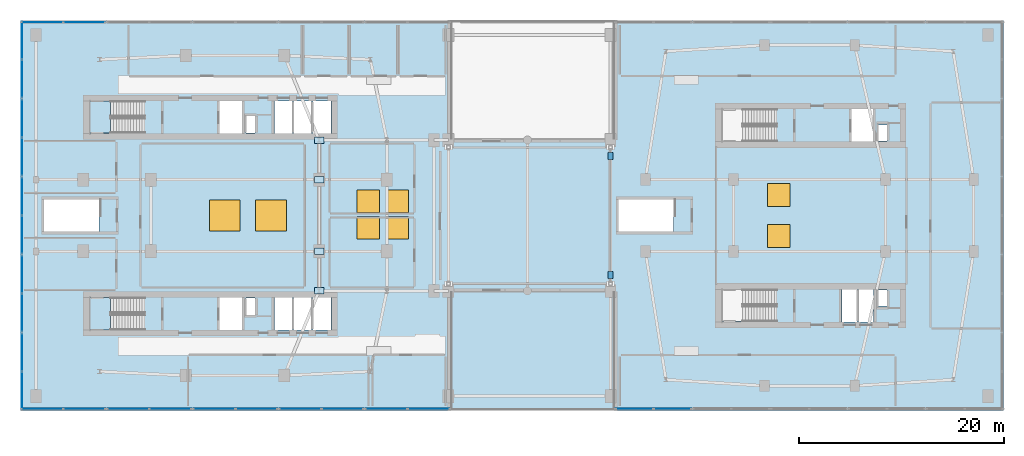
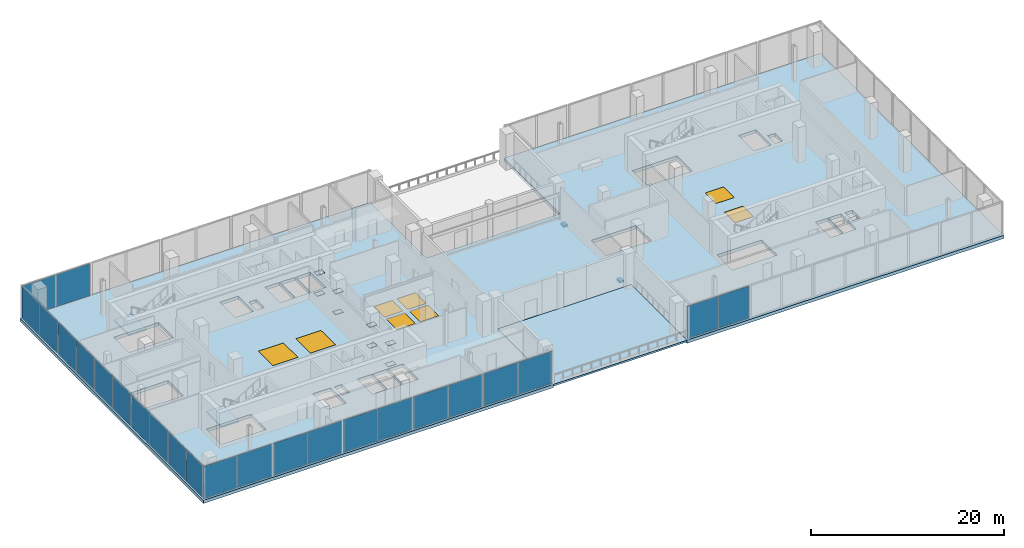
# One storey, part 12 of 21: 32 plates, 8 windows, 4 slabs, 2 members, 8 openings, 14 elements without a shape of their own.
"""IFC4 building model written with IfcOpenShell, lengths in metres."""

from ifc_helpers import new_model, si_unit, derived_unit, direction, frame, origin, origin_2d, place, context, subcontext, project, spatial, polyline, rectangle, outline, extrude, material, layer, layer_set, material_profile, profile_set, type_object, element, fill, aggregate, save


model = new_model("IFC4")

# Units and contexts
model_context = context("Model", 3, precision=1e-05, world=origin(), true_north=direction((0.0, 1.0)))
body_context = subcontext(model_context, "Body", "Model", "MODEL_VIEW")
ifc_project = project(units=[si_unit("LENGTHUNIT", "METRE"), si_unit("AREAUNIT", "SQUARE_METRE"), si_unit("VOLUMEUNIT", "CUBIC_METRE"), si_unit("PLANEANGLEUNIT", "RADIAN"), si_unit("MASSUNIT", "GRAM", prefix="KILO"), derived_unit("THERMALTRANSMITTANCEUNIT", [(si_unit("POWERUNIT", "WATT"), 1), (si_unit("LENGTHUNIT", "METRE"), -2), (si_unit("THERMODYNAMICTEMPERATUREUNIT", "KELVIN"), -1)])], contexts=[model_context])

# Site, building, storey
site_placement = place(None, origin())
site = spatial("IfcSite", under=ifc_project, at=site_placement, CompositionType="ELEMENT")
building_placement = place(site_placement, origin())
building = spatial("IfcBuilding", under=site, at=building_placement, Name="Kivonza Crest Hotel", CompositionType="ELEMENT")
storey_placement = place(building_placement, frame((0.0, 0.0, 19.5)))
storey = spatial("IfcBuildingStorey", under=building, at=storey_placement, Name="L04", CompositionType="ELEMENT", Elevation=19.5)

# Members
ifc_material_1 = material(Name="Steel S355", Category="steel")
ifc_material_profile = material_profile(ifc_material_1, rectangle(XDim=0.52001953125, YDim=0.239990234375, at=origin_2d()), Name="BEARING 520x240")
ifc_profile_set = profile_set([ifc_material_profile], Name="Steel S355")
member_type = type_object("IfcMemberType", Name="MB-BEARING-520", PredefinedType="USERDEFINED", material=ifc_profile_set)
for number, where, z_axis, x_axis, name in (
    (1, (57.60009765625, 30.47998046875, -0.280029296875), (0.0, 1.0, 0.0), (-1.0, 0.0, 0.0), "Sliding bearing BRG-POD4-N unguided biaxial PTFE spherical assembly"),
    (2, (57.60009765625, 18.8798828125, -0.280029296875), (0.0, 1.0, 0.0), (-1.0, 0.0, 0.0), "Sliding bearing BRG-POD4-S unguided biaxial PTFE spherical assembly"),
):
    element("IfcMember", number, at=place(storey_placement, frame(where, z_axis=z_axis, x_axis=x_axis)), inside=storey, type_object=member_type, Name=name, ObjectType="BEARING", PredefinedType="USERDEFINED", context=body_context, shape_type="SweptSolid", body=[
        extrude(rectangle(XDim=0.52001953125, YDim=0.239990234375, at=origin_2d()), origin(), (0.0, 0.0, 1.0), 0.64013671875),
    ])

# Curtain wall, plates
ifc_material_2 = material(Name="Anodised bronze aluminium and low-E double glazing", Category="aluminium")
ifc_layer_1 = layer(ifc_material_2, 0.199951171875)
ifc_layer_set_1 = layer_set([ifc_layer_1], Name="Anodised bronze aluminium and low-E double glazing")
curtain_wall_type = type_object("IfcCurtainWallType", Name="CW-SYS-6", PredefinedType="NOTDEFINED", material=ifc_layer_set_1)
curtain_wall_1_placement = place(storey_placement, origin())
curtain_wall_1 = element("IfcCurtainWall", 3, at=curtain_wall_1_placement, inside=storey, type_object=curtain_wall_type, Name="L04 unitised curtain wall CW-POD-L04-01", PredefinedType="NOTDEFINED")
ifc_material_3 = material(Name="Acoustic triple-laminated low-E glazing", Category="glass")
ifc_layer_2 = layer(ifc_material_3, 0.035888671875)
ifc_layer_set_2 = layer_set([ifc_layer_2], Name="Acoustic triple-laminated low-E glazing")
plate_type_1 = type_object("IfcPlateType", Name="CW-PNL-36", PredefinedType="CURTAIN_PANEL", material=ifc_layer_set_2)
plate_1_placement = place(storey_placement, frame((2.21484375, 6.159912109375, 0.0751953125), z_axis=(0.0, 0.0, 1.0), x_axis=(1.0, 0.0, 0.0)))
plate_1 = element("IfcPlate", 4, at=plate_1_placement, type_object=plate_type_1, Name="CW-6 panel 1.1", PredefinedType="CURTAIN_PANEL", context=body_context, shape_type="SweptSolid", body=[
    extrude(rectangle(XDim=4.03955078125, YDim=0.035888671875, at=origin_2d()), origin(), (0.0, 0.0, 1.0), 4.070068359375),
])
plate_2_placement = place(storey_placement, frame((6.329345703125, 6.159912109375, 0.0751953125), z_axis=(0.0, 0.0, 1.0), x_axis=(1.0, 0.0, 0.0)))
plate_2 = element("IfcPlate", 5, at=plate_2_placement, type_object=plate_type_1, Name="CW-6 panel 2.1", PredefinedType="CURTAIN_PANEL", context=body_context, shape_type="SweptSolid", body=[
    extrude(rectangle(XDim=4.03955078125, YDim=0.035888671875, at=origin_2d()), origin(), (0.0, 0.0, 1.0), 4.070068359375),
])
aggregate(curtain_wall_1, [plate_1, plate_2])

curtain_wall_2_placement = place(storey_placement, origin())
curtain_wall_2 = element("IfcCurtainWall", 6, at=curtain_wall_2_placement, inside=storey, type_object=curtain_wall_type, Name="L04 unitised curtain wall CW-POD-L04-02", PredefinedType="NOTDEFINED")
plate_3_placement = place(storey_placement, frame((10.5986328125, 6.159912109375, 0.0751953125), z_axis=(0.0, 0.0, 1.0), x_axis=(1.0, 0.0, 0.0)))
plate_3 = element("IfcPlate", 7, at=plate_3_placement, type_object=plate_type_1, Name="CW-6 panel 1.1", PredefinedType="CURTAIN_PANEL", context=body_context, shape_type="SweptSolid", body=[
    extrude(rectangle(XDim=4.03955078125, YDim=0.035888671875, at=origin_2d()), origin(), (0.0, 0.0, 1.0), 4.070068359375),
])
plate_4_placement = place(storey_placement, frame((14.713134765625, 6.159912109375, 0.0751953125), z_axis=(0.0, 0.0, 1.0), x_axis=(1.0, 0.0, 0.0)))
plate_4 = element("IfcPlate", 8, at=plate_4_placement, type_object=plate_type_1, Name="CW-6 panel 2.1", PredefinedType="CURTAIN_PANEL", context=body_context, shape_type="SweptSolid", body=[
    extrude(rectangle(XDim=4.03955078125, YDim=0.035888671875, at=origin_2d()), origin(), (0.0, 0.0, 1.0), 4.070068359375),
])
aggregate(curtain_wall_2, [plate_3, plate_4])

curtain_wall_3_placement = place(storey_placement, origin())
curtain_wall_3 = element("IfcCurtainWall", 9, at=curtain_wall_3_placement, inside=storey, type_object=curtain_wall_type, Name="L04 unitised curtain wall CW-POD-L04-03", PredefinedType="NOTDEFINED")
plate_5_placement = place(storey_placement, frame((18.982666015625, 6.159912109375, 0.0751953125), z_axis=(0.0, 0.0, 1.0), x_axis=(1.0, 0.0, 0.0)))
plate_5 = element("IfcPlate", 10, at=plate_5_placement, type_object=plate_type_1, Name="CW-6 panel 1.1", PredefinedType="CURTAIN_PANEL", context=body_context, shape_type="SweptSolid", body=[
    extrude(rectangle(XDim=4.03955078125, YDim=0.035888671875, at=origin_2d()), origin(), (0.0, 0.0, 1.0), 4.070068359375),
])
plate_6_placement = place(storey_placement, frame((23.09716796875, 6.159912109375, 0.0751953125), z_axis=(0.0, 0.0, 1.0), x_axis=(1.0, 0.0, 0.0)))
plate_6 = element("IfcPlate", 11, at=plate_6_placement, type_object=plate_type_1, Name="CW-6 panel 2.1", PredefinedType="CURTAIN_PANEL", context=body_context, shape_type="SweptSolid", body=[
    extrude(rectangle(XDim=4.03955078125, YDim=0.035888671875, at=origin_2d()), origin(), (0.0, 0.0, 1.0), 4.070068359375),
])
aggregate(curtain_wall_3, [plate_5, plate_6])

curtain_wall_4_placement = place(storey_placement, origin())
curtain_wall_4 = element("IfcCurtainWall", 12, at=curtain_wall_4_placement, inside=storey, type_object=curtain_wall_type, Name="L04 unitised curtain wall CW-POD-L04-04", PredefinedType="NOTDEFINED")
plate_7_placement = place(storey_placement, frame((27.36669921875, 6.159912109375, 0.0751953125), z_axis=(0.0, 0.0, 1.0), x_axis=(1.0, 0.0, 0.0)))
plate_7 = element("IfcPlate", 13, at=plate_7_placement, type_object=plate_type_1, Name="CW-6 panel 1.1", PredefinedType="CURTAIN_PANEL", context=body_context, shape_type="SweptSolid", body=[
    extrude(rectangle(XDim=4.03955078125, YDim=0.035888671875, at=origin_2d()), origin(), (0.0, 0.0, 1.0), 4.070068359375),
])
plate_8_placement = place(storey_placement, frame((31.481201171875, 6.159912109375, 0.0751953125), z_axis=(0.0, 0.0, 1.0), x_axis=(1.0, 0.0, 0.0)))
plate_8 = element("IfcPlate", 14, at=plate_8_placement, type_object=plate_type_1, Name="CW-6 panel 2.1", PredefinedType="CURTAIN_PANEL", context=body_context, shape_type="SweptSolid", body=[
    extrude(rectangle(XDim=4.03955078125, YDim=0.035888671875, at=origin_2d()), origin(), (0.0, 0.0, 1.0), 4.070068359375),
])
aggregate(curtain_wall_4, [plate_7, plate_8])

curtain_wall_5_placement = place(storey_placement, origin())
curtain_wall_5 = element("IfcCurtainWall", 15, at=curtain_wall_5_placement, inside=storey, type_object=curtain_wall_type, Name="L04 unitised curtain wall CW-POD-L04-05", PredefinedType="NOTDEFINED")
plate_9_placement = place(storey_placement, frame((35.750732421875, 6.159912109375, 0.0751953125), z_axis=(0.0, 0.0, 1.0), x_axis=(1.0, 0.0, 0.0)))
plate_9 = element("IfcPlate", 16, at=plate_9_placement, type_object=plate_type_1, Name="CW-6 panel 1.1", PredefinedType="CURTAIN_PANEL", context=body_context, shape_type="SweptSolid", body=[
    extrude(rectangle(XDim=4.03955078125, YDim=0.035888671875, at=origin_2d()), origin(), (0.0, 0.0, 1.0), 4.070068359375),
])
plate_10_placement = place(storey_placement, frame((39.865234375, 6.159912109375, 0.0751953125), z_axis=(0.0, 0.0, 1.0), x_axis=(1.0, 0.0, 0.0)))
plate_10 = element("IfcPlate", 17, at=plate_10_placement, type_object=plate_type_1, Name="CW-6 panel 2.1", PredefinedType="CURTAIN_PANEL", context=body_context, shape_type="SweptSolid", body=[
    extrude(rectangle(XDim=4.03955078125, YDim=0.035888671875, at=origin_2d()), origin(), (0.0, 0.0, 1.0), 4.070068359375),
])
aggregate(curtain_wall_5, [plate_9, plate_10])

curtain_wall_6_placement = place(storey_placement, origin())
curtain_wall_6 = element("IfcCurtainWall", 18, at=curtain_wall_6_placement, inside=storey, type_object=curtain_wall_type, Name="L04 unitised curtain wall CW-POD-L04-11", PredefinedType="NOTDEFINED")
plate_11_placement = place(storey_placement, frame((59.934814453125, 6.159912109375, 0.0751953125), z_axis=(0.0, 0.0, 1.0), x_axis=(1.0, 0.0, 0.0)))
plate_11 = element("IfcPlate", 19, at=plate_11_placement, type_object=plate_type_1, Name="CW-6 panel 1.1", PredefinedType="CURTAIN_PANEL", context=body_context, shape_type="SweptSolid", body=[
    extrude(rectangle(XDim=3.639404296875, YDim=0.035888671875, at=origin_2d()), origin(), (0.0, 0.0, 1.0), 4.070068359375),
])
plate_12_placement = place(storey_placement, frame((63.649169921875, 6.159912109375, 0.0751953125), z_axis=(0.0, 0.0, 1.0), x_axis=(1.0, 0.0, 0.0)))
plate_12 = element("IfcPlate", 20, at=plate_12_placement, type_object=plate_type_1, Name="CW-6 panel 2.1", PredefinedType="CURTAIN_PANEL", context=body_context, shape_type="SweptSolid", body=[
    extrude(rectangle(XDim=3.639404296875, YDim=0.035888671875, at=origin_2d()), origin(), (0.0, 0.0, 1.0), 4.070068359375),
])
aggregate(curtain_wall_6, [plate_11, plate_12])

curtain_wall_7_placement = place(storey_placement, origin())
curtain_wall_7 = element("IfcCurtainWall", 21, at=curtain_wall_7_placement, inside=storey, type_object=curtain_wall_type, Name="L04 unitised curtain wall CW-POD-L04-35", PredefinedType="NOTDEFINED")
plate_13_placement = place(storey_placement, frame((6.329345703125, 43.840087890625, 0.0751953125), z_axis=(0.0, 0.0, 1.0), x_axis=(-1.0, 0.0, 0.0)))
plate_13 = element("IfcPlate", 22, at=plate_13_placement, type_object=plate_type_1, Name="CW-6 panel 1.1", PredefinedType="CURTAIN_PANEL", context=body_context, shape_type="SweptSolid", body=[
    extrude(rectangle(XDim=4.03955078125, YDim=0.035888671875, at=origin_2d()), origin(), (0.0, 0.0, 1.0), 4.070068359375),
])
plate_14_placement = place(storey_placement, frame((2.21484375, 43.840087890625, 0.0751953125), z_axis=(0.0, 0.0, 1.0), x_axis=(-1.0, 0.0, 0.0)))
plate_14 = element("IfcPlate", 23, at=plate_14_placement, type_object=plate_type_1, Name="CW-6 panel 2.1", PredefinedType="CURTAIN_PANEL", context=body_context, shape_type="SweptSolid", body=[
    extrude(rectangle(XDim=4.03955078125, YDim=0.035888671875, at=origin_2d()), origin(), (0.0, 0.0, 1.0), 4.070068359375),
])
aggregate(curtain_wall_7, [plate_13, plate_14])

curtain_wall_8_placement = place(storey_placement, origin())
curtain_wall_8 = element("IfcCurtainWall", 24, at=curtain_wall_8_placement, inside=storey, type_object=curtain_wall_type, Name="L04 unitised curtain wall CW-POD-L04-36", PredefinedType="NOTDEFINED")
plate_15_placement = place(storey_placement, frame((0.239990234375, 42.061279296875, 0.0751953125), z_axis=(0.0, 0.0, 1.0), x_axis=(0.0, -1.0, 0.0)))
plate_15 = element("IfcPlate", 25, at=plate_15_placement, type_object=plate_type_1, Name="CW-6 panel 1.1", PredefinedType="CURTAIN_PANEL", context=body_context, shape_type="SweptSolid", body=[
    extrude(rectangle(XDim=3.6474609375, YDim=0.035888671875, at=origin_2d()), origin(), (0.0, 0.0, 1.0), 4.070068359375),
])
plate_16_placement = place(storey_placement, frame((0.239990234375, 38.3388671875, 0.0751953125), z_axis=(0.0, 0.0, 1.0), x_axis=(0.0, -1.0, 0.0)))
plate_16 = element("IfcPlate", 26, at=plate_16_placement, type_object=plate_type_1, Name="CW-6 panel 2.1", PredefinedType="CURTAIN_PANEL", context=body_context, shape_type="SweptSolid", body=[
    extrude(rectangle(XDim=3.6474609375, YDim=0.035888671875, at=origin_2d()), origin(), (0.0, 0.0, 1.0), 4.070068359375),
])
aggregate(curtain_wall_8, [plate_15, plate_16])

curtain_wall_9_placement = place(storey_placement, origin())
curtain_wall_9 = element("IfcCurtainWall", 27, at=curtain_wall_9_placement, inside=storey, type_object=curtain_wall_type, Name="L04 unitised curtain wall CW-POD-L04-37", PredefinedType="NOTDEFINED")
plate_17_placement = place(storey_placement, frame((0.239990234375, 34.461181640625, 0.0751953125), z_axis=(0.0, 0.0, 1.0), x_axis=(0.0, -1.0, 0.0)))
plate_17 = element("IfcPlate", 28, at=plate_17_placement, type_object=plate_type_1, Name="CW-6 panel 1.1", PredefinedType="CURTAIN_PANEL", context=body_context, shape_type="SweptSolid", body=[
    extrude(rectangle(XDim=3.6474609375, YDim=0.035888671875, at=origin_2d()), origin(), (0.0, 0.0, 1.0), 4.070068359375),
])
plate_18_placement = place(storey_placement, frame((0.239990234375, 30.73876953125, 0.0751953125), z_axis=(0.0, 0.0, 1.0), x_axis=(0.0, -1.0, 0.0)))
plate_18 = element("IfcPlate", 29, at=plate_18_placement, type_object=plate_type_1, Name="CW-6 panel 2.1", PredefinedType="CURTAIN_PANEL", context=body_context, shape_type="SweptSolid", body=[
    extrude(rectangle(XDim=3.6474609375, YDim=0.035888671875, at=origin_2d()), origin(), (0.0, 0.0, 1.0), 4.070068359375),
])
aggregate(curtain_wall_9, [plate_17, plate_18])

curtain_wall_10_placement = place(storey_placement, origin())
curtain_wall_10 = element("IfcCurtainWall", 30, at=curtain_wall_10_placement, inside=storey, type_object=curtain_wall_type, Name="L04 unitised curtain wall CW-POD-L04-38", PredefinedType="NOTDEFINED")
plate_19_placement = place(storey_placement, frame((0.239990234375, 26.861328125, 0.0751953125), z_axis=(0.0, 0.0, 1.0), x_axis=(0.0, -1.0, 0.0)))
plate_19 = element("IfcPlate", 31, at=plate_19_placement, type_object=plate_type_1, Name="CW-6 panel 1.1", PredefinedType="CURTAIN_PANEL", context=body_context, shape_type="SweptSolid", body=[
    extrude(rectangle(XDim=3.6474609375, YDim=0.035888671875, at=origin_2d()), origin(), (0.0, 0.0, 1.0), 4.070068359375),
])
plate_20_placement = place(storey_placement, frame((0.239990234375, 23.138671875, 0.0751953125), z_axis=(0.0, 0.0, 1.0), x_axis=(0.0, -1.0, 0.0)))
plate_20 = element("IfcPlate", 32, at=plate_20_placement, type_object=plate_type_1, Name="CW-6 panel 2.1", PredefinedType="CURTAIN_PANEL", context=body_context, shape_type="SweptSolid", body=[
    extrude(rectangle(XDim=3.6474609375, YDim=0.035888671875, at=origin_2d()), origin(), (0.0, 0.0, 1.0), 4.070068359375),
])
aggregate(curtain_wall_10, [plate_19, plate_20])

curtain_wall_11_placement = place(storey_placement, origin())
curtain_wall_11 = element("IfcCurtainWall", 33, at=curtain_wall_11_placement, inside=storey, type_object=curtain_wall_type, Name="L04 unitised curtain wall CW-POD-L04-39", PredefinedType="NOTDEFINED")
plate_21_placement = place(storey_placement, frame((0.239990234375, 19.26123046875, 0.0751953125), z_axis=(0.0, 0.0, 1.0), x_axis=(0.0, -1.0, 0.0)))
plate_21 = element("IfcPlate", 34, at=plate_21_placement, type_object=plate_type_1, Name="CW-6 panel 1.1", PredefinedType="CURTAIN_PANEL", context=body_context, shape_type="SweptSolid", body=[
    extrude(rectangle(XDim=3.6474609375, YDim=0.035888671875, at=origin_2d()), origin(), (0.0, 0.0, 1.0), 4.070068359375),
])
plate_22_placement = place(storey_placement, frame((0.239990234375, 15.538818359375, 0.0751953125), z_axis=(0.0, 0.0, 1.0), x_axis=(0.0, -1.0, 0.0)))
plate_22 = element("IfcPlate", 35, at=plate_22_placement, type_object=plate_type_1, Name="CW-6 panel 2.1", PredefinedType="CURTAIN_PANEL", context=body_context, shape_type="SweptSolid", body=[
    extrude(rectangle(XDim=3.6474609375, YDim=0.035888671875, at=origin_2d()), origin(), (0.0, 0.0, 1.0), 4.070068359375),
])
aggregate(curtain_wall_11, [plate_21, plate_22])

curtain_wall_12_placement = place(storey_placement, origin())
curtain_wall_12 = element("IfcCurtainWall", 36, at=curtain_wall_12_placement, inside=storey, type_object=curtain_wall_type, Name="L04 unitised curtain wall CW-POD-L04-40", PredefinedType="NOTDEFINED")
plate_23_placement = place(storey_placement, frame((0.239990234375, 11.6611328125, 0.0751953125), z_axis=(0.0, 0.0, 1.0), x_axis=(0.0, -1.0, 0.0)))
plate_23 = element("IfcPlate", 37, at=plate_23_placement, type_object=plate_type_1, Name="CW-6 panel 1.1", PredefinedType="CURTAIN_PANEL", context=body_context, shape_type="SweptSolid", body=[
    extrude(rectangle(XDim=3.6474609375, YDim=0.035888671875, at=origin_2d()), origin(), (0.0, 0.0, 1.0), 4.070068359375),
])
plate_24_placement = place(storey_placement, frame((0.239990234375, 7.938720703125, 0.0751953125), z_axis=(0.0, 0.0, 1.0), x_axis=(0.0, -1.0, 0.0)))
plate_24 = element("IfcPlate", 38, at=plate_24_placement, type_object=plate_type_1, Name="CW-6 panel 2.1", PredefinedType="CURTAIN_PANEL", context=body_context, shape_type="SweptSolid", body=[
    extrude(rectangle(XDim=3.6474609375, YDim=0.035888671875, at=origin_2d()), origin(), (0.0, 0.0, 1.0), 4.070068359375),
])
aggregate(curtain_wall_12, [plate_23, plate_24])

# Plates
ifc_layer_3 = layer(ifc_material_1, 0.0380859375)
ifc_layer_set_3 = layer_set([ifc_layer_3], Name="Steel S355")
plate_type_2 = type_object("IfcPlateType", Name="PL-NODE-TR1", PredefinedType="SHEET", material=ifc_layer_set_3)
for number, where, z_axis, x_axis, name in (
    (39, (29.199951171875, 17.64990234375, -0.01904296875), (0.0, 0.0, 1.0), (1.0, 0.0, 0.0), "ND-TR1 node gusset and end-cap plate L04 1"),
    (40, (29.199951171875, 21.5, -0.01904296875), (0.0, 0.0, 1.0), (1.0, 0.0, 0.0), "ND-TR1 node gusset and end-cap plate L04 2"),
    (41, (29.199951171875, 17.64990234375, 2.630859375), (0.0, 0.0, 1.0), (1.0, 0.0, 0.0), "ND-TR1 node gusset and end-cap plate L04 3"),
    (42, (29.199951171875, 21.5, 2.630859375), (0.0, 0.0, 1.0), (1.0, 0.0, 0.0), "ND-TR1 node gusset and end-cap plate L04 4"),
    (43, (29.199951171875, 28.5, -0.01904296875), (0.0, 0.0, 1.0), (1.0, 0.0, 0.0), "ND-TR1 node gusset and end-cap plate L04 5"),
    (44, (29.199951171875, 28.5, 2.630859375), (0.0, 0.0, 1.0), (1.0, 0.0, 0.0), "ND-TR1 node gusset and end-cap plate L04 6"),
    (45, (29.199951171875, 32.35009765625, -0.01904296875), (0.0, 0.0, 1.0), (1.0, 0.0, 0.0), "ND-TR1 node gusset and end-cap plate L04 7"),
    (46, (29.199951171875, 32.35009765625, 2.630859375), (0.0, 0.0, 1.0), (1.0, 0.0, 0.0), "ND-TR1 node gusset and end-cap plate L04 8"),
):
    element("IfcPlate", number, at=place(storey_placement, frame(where, z_axis=z_axis, x_axis=x_axis)), inside=storey, type_object=plate_type_2, Name=name, PredefinedType="SHEET", context=body_context, shape_type="SweptSolid", body=[
        extrude(rectangle(XDim=0.919921875, YDim=0.639892578125, at=origin_2d()), origin(), (0.0, 0.0, 1.0), 0.0380859375),
    ])

# Stair, slab
ifc_material_4 = material(Name="Concrete C40/50", Category="concrete")
stair_type = type_object("IfcStairType", Name="ST-DL-26R", PredefinedType="HALF_TURN_STAIR", material=ifc_material_4)
stair_1_placement = place(storey_placement, origin())
stair_1 = element("IfcStair", 47, at=stair_1_placement, inside=storey, type_object=stair_type, Name="L04 Protected Exit Stair ST-T1-N", PredefinedType="HALF_TURN_STAIR")
ifc_layer_4 = layer(ifc_material_4, 0.199951171875)
ifc_layer_set_4 = layer_set([ifc_layer_4], Name="Concrete C40/50")
slab_type_1 = type_object("IfcSlabType", Name="SL-LAND-200", PredefinedType="LANDING", material=ifc_layer_set_4)
slab_1_placement = place(storey_placement, frame((0.0, 0.0, 2.050048828125)))
slab_1 = element("IfcSlab", 48, at=slab_1_placement, type_object=slab_type_1, Name="ST-T1-N landing 1", PredefinedType="LANDING", context=body_context, shape_type="SweptSolid", body=[
    extrude(outline(polyline([(8.8798828125, 36.159912109375), (6.800048828125, 36.159912109375), (6.800048828125, 33.02001953125), (8.8798828125, 33.02001953125), (8.8798828125, 36.159912109375)])), origin(), (0.0, 0.0, 1.0), 0.199951171875),
])
aggregate(stair_1, [slab_1])

stair_2_placement = place(storey_placement, origin())
stair_2 = element("IfcStair", 49, at=stair_2_placement, inside=storey, type_object=stair_type, Name="L04 Protected Exit Stair ST-T1-S", PredefinedType="HALF_TURN_STAIR")
slab_2_placement = place(storey_placement, frame((0.0, 0.0, 2.050048828125)))
slab_2 = element("IfcSlab", 50, at=slab_2_placement, type_object=slab_type_1, Name="ST-T1-S landing 1", PredefinedType="LANDING", context=body_context, shape_type="SweptSolid", body=[
    extrude(outline(polyline([(8.8798828125, 17.0), (6.800048828125, 17.0), (6.800048828125, 13.860107421875), (8.8798828125, 13.860107421875), (8.8798828125, 17.0)])), origin(), (0.0, 0.0, 1.0), 0.199951171875),
])
aggregate(stair_2, [slab_2])

# Slab
ifc_layer_5 = layer(ifc_material_4, 0.219970703125)
ifc_layer_set_5 = layer_set([ifc_layer_5], Name="Concrete C40/50")
slab_type_2 = type_object("IfcSlabType", Name="SL-TERR-220", PredefinedType="FLOOR", material=ifc_layer_set_5)
slab_3_placement = place(storey_placement, frame((0.0, 0.0, -0.219970703125)))
element("IfcSlab", 51, at=slab_3_placement, inside=storey, type_object=slab_type_2, Name="L04 outdoor planted podium terrace 1", PredefinedType="FLOOR", context=body_context, shape_type="SweptSolid", body=[
    extrude(outline(polyline([(42.0, 6.0), (58.0, 6.0), (58.0, 17.60009765625), (42.0, 17.60009765625), (42.0, 6.0)])), origin(), (0.0, 0.0, 1.0), 0.219970703125),
])

# Slab, openings, windows
ifc_layer_6 = layer(ifc_material_4, 0.39990234375)
ifc_layer_set_6 = layer_set([ifc_layer_6], Name="Concrete C40/50")
slab_type_3 = type_object("IfcSlabType", Name="SL-TRF-400", PredefinedType="FLOOR", material=ifc_layer_set_6)
slab_4_placement = place(storey_placement, frame((0.0, 0.0, -0.39990234375)))
slab_4 = element("IfcSlab", 52, at=slab_4_placement, inside=storey, type_object=slab_type_3, Name="L04 structural floor plate", PredefinedType="FLOOR", context=body_context, shape_type="SweptSolid", body=[
    extrude(outline(polyline([(0.080078125, 6.0), (42.0, 6.0), (42.0, 17.60009765625), (58.0, 17.60009765625), (58.0, 6.0), (95.919921875, 6.0), (95.919921875, 44.0), (58.0, 44.0), (58.0, 32.39990234375), (42.0, 32.39990234375), (42.0, 44.0), (0.080078125, 44.0), (0.080078125, 6.0)]), holes=[polyline([(6.800048828125, 33.02001953125), (12.159912109375, 33.02001953125), (12.159912109375, 36.159912109375), (6.800048828125, 36.159912109375), (6.800048828125, 33.02001953125)]), polyline([(6.800048828125, 13.860107421875), (12.159912109375, 13.860107421875), (12.159912109375, 17.0), (6.800048828125, 17.0), (6.800048828125, 13.860107421875)]), polyline([(68.39990234375, 32.219970703125), (73.760009765625, 32.219970703125), (73.760009765625, 35.360107421875), (68.39990234375, 35.360107421875), (68.39990234375, 32.219970703125)]), polyline([(68.39990234375, 14.659912109375), (73.760009765625, 14.659912109375), (73.760009765625, 17.800048828125), (68.39990234375, 17.800048828125), (68.39990234375, 14.659912109375)]), polyline([(2.39990234375, 23.43994140625), (7.760009765625, 23.43994140625), (7.760009765625, 26.580078125), (2.39990234375, 26.580078125), (2.39990234375, 23.43994140625)]), polyline([(58.39990234375, 23.43994140625), (63.760009765625, 23.43994140625), (63.760009765625, 26.580078125), (58.39990234375, 26.580078125), (58.39990234375, 23.43994140625)]), polyline([(22.080078125, 33.0400390625), (22.969970703125, 33.0400390625), (22.969970703125, 34.679931640625), (22.080078125, 34.679931640625), (22.080078125, 33.0400390625)]), polyline([(22.080078125, 15.320068359375), (22.969970703125, 15.320068359375), (22.969970703125, 16.9599609375), (22.080078125, 16.9599609375), (22.080078125, 15.320068359375)]), polyline([(83.679931640625, 32.239990234375), (84.570068359375, 32.239990234375), (84.570068359375, 33.820068359375), (83.679931640625, 33.820068359375), (83.679931640625, 32.239990234375)]), polyline([(83.679931640625, 16.179931640625), (84.570068359375, 16.179931640625), (84.570068359375, 17.760009765625), (83.679931640625, 17.760009765625), (83.679931640625, 16.179931640625)]), polyline([(19.5, 33.0), (21.699951171875, 33.0), (21.699951171875, 36.159912109375), (19.5, 36.159912109375), (19.5, 33.0)]), polyline([(24.860107421875, 33.0), (26.60693359375, 33.0), (26.60693359375, 36.159912109375), (24.860107421875, 36.159912109375), (24.860107421875, 33.0)]), polyline([(26.72705078125, 33.0), (28.472900390625, 33.0), (28.472900390625, 36.159912109375), (26.72705078125, 36.159912109375), (26.72705078125, 33.0)]), polyline([(28.593017578125, 33.0), (30.340087890625, 33.0), (30.340087890625, 36.159912109375), (28.593017578125, 36.159912109375), (28.593017578125, 33.0)]), polyline([(19.5, 13.840087890625), (21.699951171875, 13.840087890625), (21.699951171875, 17.0), (19.5, 17.0), (19.5, 13.840087890625)]), polyline([(24.860107421875, 13.840087890625), (26.60693359375, 13.840087890625), (26.60693359375, 17.0), (24.860107421875, 17.0), (24.860107421875, 13.840087890625)]), polyline([(26.72705078125, 13.840087890625), (28.472900390625, 13.840087890625), (28.472900390625, 17.0), (26.72705078125, 17.0), (26.72705078125, 13.840087890625)]), polyline([(28.593017578125, 13.840087890625), (30.340087890625, 13.840087890625), (30.340087890625, 17.0), (28.593017578125, 17.0), (28.593017578125, 13.840087890625)]), polyline([(81.10009765625, 32.199951171875), (83.199951171875, 32.199951171875), (83.199951171875, 35.360107421875), (81.10009765625, 35.360107421875), (81.10009765625, 32.199951171875)]), polyline([(80.159912109375, 14.639892578125), (81.639892578125, 14.639892578125), (81.639892578125, 17.800048828125), (80.159912109375, 17.800048828125), (80.159912109375, 14.639892578125)]), polyline([(81.760009765625, 14.639892578125), (83.239990234375, 14.639892578125), (83.239990234375, 17.800048828125), (81.760009765625, 17.800048828125), (81.760009765625, 14.639892578125)])]), origin(), (0.0, 0.0, 1.0), 0.39990234375),
])
opening_1_placement = place(slab_4_placement, frame((34.0, 23.800048828125, 0.0)))
opening_1 = element("IfcOpeningElement", 53, at=opening_1_placement, cuts=slab_4, Name="Opening SK-01", PredefinedType="OPENING", context=body_context, shape_type="SweptSolid", body=[
    extrude(rectangle(XDim=2.199951171875, YDim=2.199951171875, at=origin_2d()), frame((0.0, 0.0, -0.010009765625)), (0.0, 0.0, 1.0), 0.419921875),
])
opening_2_placement = place(slab_4_placement, frame((36.800048828125, 23.800048828125, 0.0)))
opening_2 = element("IfcOpeningElement", 54, at=opening_2_placement, cuts=slab_4, Name="Opening SK-01", PredefinedType="OPENING", context=body_context, shape_type="SweptSolid", body=[
    extrude(rectangle(XDim=2.199951171875, YDim=2.199951171875, at=origin_2d()), frame((0.0, 0.0, -0.010009765625)), (0.0, 0.0, 1.0), 0.419921875),
])
opening_3_placement = place(slab_4_placement, frame((34.0, 26.39990234375, 0.0)))
opening_3 = element("IfcOpeningElement", 55, at=opening_3_placement, cuts=slab_4, Name="Opening SK-01", PredefinedType="OPENING", context=body_context, shape_type="SweptSolid", body=[
    extrude(rectangle(XDim=2.199951171875, YDim=2.199951171875, at=origin_2d()), frame((0.0, 0.0, -0.010009765625)), (0.0, 0.0, 1.0), 0.419921875),
])
opening_4_placement = place(slab_4_placement, frame((36.800048828125, 26.39990234375, 0.0)))
opening_4 = element("IfcOpeningElement", 56, at=opening_4_placement, cuts=slab_4, Name="Opening SK-01", PredefinedType="OPENING", context=body_context, shape_type="SweptSolid", body=[
    extrude(rectangle(XDim=2.199951171875, YDim=2.199951171875, at=origin_2d()), frame((0.0, 0.0, -0.010009765625)), (0.0, 0.0, 1.0), 0.419921875),
])
opening_5_placement = place(slab_4_placement, frame((20.0, 25.0, 0.0)))
opening_5 = element("IfcOpeningElement", 57, at=opening_5_placement, cuts=slab_4, Name="Opening SK-02", PredefinedType="OPENING", context=body_context, shape_type="SweptSolid", body=[
    extrude(rectangle(XDim=3.0, YDim=3.0, at=origin_2d()), frame((0.0, 0.0, -0.010009765625)), (0.0, 0.0, 1.0), 0.419921875),
])
opening_6_placement = place(slab_4_placement, frame((24.5, 25.0, 0.0)))
opening_6 = element("IfcOpeningElement", 58, at=opening_6_placement, cuts=slab_4, Name="Opening SK-02", PredefinedType="OPENING", context=body_context, shape_type="SweptSolid", body=[
    extrude(rectangle(XDim=3.0, YDim=3.0, at=origin_2d()), frame((0.0, 0.0, -0.010009765625)), (0.0, 0.0, 1.0), 0.419921875),
])
opening_7_placement = place(slab_4_placement, frame((74.0, 23.0, 0.0)))
opening_7 = element("IfcOpeningElement", 59, at=opening_7_placement, cuts=slab_4, Name="Opening SK-01", PredefinedType="OPENING", context=body_context, shape_type="SweptSolid", body=[
    extrude(rectangle(XDim=2.199951171875, YDim=2.199951171875, at=origin_2d()), frame((0.0, 0.0, -0.010009765625)), (0.0, 0.0, 1.0), 0.419921875),
])
opening_8_placement = place(slab_4_placement, frame((74.0, 27.0, 0.0)))
opening_8 = element("IfcOpeningElement", 60, at=opening_8_placement, cuts=slab_4, Name="Opening SK-01", PredefinedType="OPENING", context=body_context, shape_type="SweptSolid", body=[
    extrude(rectangle(XDim=2.199951171875, YDim=2.199951171875, at=origin_2d()), frame((0.0, 0.0, -0.010009765625)), (0.0, 0.0, 1.0), 0.419921875),
])
ifc_material_5 = material(Name="Thermally broken bronze aluminium and low-E double glazing", Category="aluminium")
window_type_1 = type_object("IfcWindowType", Name="SK-220x220", PartitioningType="SINGLE_PANEL", PredefinedType="SKYLIGHT", material=ifc_material_5)
window_1_placement = place(opening_1_placement, frame((0.0, 0.0, 0.349853515625)))
window_1 = element("IfcWindow", 61, at=window_1_placement, inside=storey, type_object=window_type_1, Name="L04 podium atrium rooflight skylight 1", OverallHeight=2.199951171875, OverallWidth=2.199951171875, PartitioningType="SINGLE_PANEL", PredefinedType="SKYLIGHT", context=body_context, shape_type="SweptSolid", body=[
    extrude(rectangle(XDim=2.199951171875, YDim=2.199951171875, at=origin_2d()), origin(), (0.0, 0.0, 1.0), 0.050048828125),
])
fill(opening_1, window_1)
window_2_placement = place(opening_2_placement, frame((0.0, 0.0, 0.349853515625)))
window_2 = element("IfcWindow", 62, at=window_2_placement, inside=storey, type_object=window_type_1, Name="L04 podium atrium rooflight skylight 2", OverallHeight=2.199951171875, OverallWidth=2.199951171875, PartitioningType="SINGLE_PANEL", PredefinedType="SKYLIGHT", context=body_context, shape_type="SweptSolid", body=[
    extrude(rectangle(XDim=2.199951171875, YDim=2.199951171875, at=origin_2d()), origin(), (0.0, 0.0, 1.0), 0.050048828125),
])
fill(opening_2, window_2)
window_3_placement = place(opening_3_placement, frame((0.0, 0.0, 0.349853515625)))
window_3 = element("IfcWindow", 63, at=window_3_placement, inside=storey, type_object=window_type_1, Name="L04 podium atrium rooflight skylight 3", OverallHeight=2.199951171875, OverallWidth=2.199951171875, PartitioningType="SINGLE_PANEL", PredefinedType="SKYLIGHT", context=body_context, shape_type="SweptSolid", body=[
    extrude(rectangle(XDim=2.199951171875, YDim=2.199951171875, at=origin_2d()), origin(), (0.0, 0.0, 1.0), 0.050048828125),
])
fill(opening_3, window_3)
window_4_placement = place(opening_4_placement, frame((0.0, 0.0, 0.349853515625)))
window_4 = element("IfcWindow", 64, at=window_4_placement, inside=storey, type_object=window_type_1, Name="L04 podium atrium rooflight skylight 4", OverallHeight=2.199951171875, OverallWidth=2.199951171875, PartitioningType="SINGLE_PANEL", PredefinedType="SKYLIGHT", context=body_context, shape_type="SweptSolid", body=[
    extrude(rectangle(XDim=2.199951171875, YDim=2.199951171875, at=origin_2d()), origin(), (0.0, 0.0, 1.0), 0.050048828125),
])
fill(opening_4, window_4)
window_5_placement = place(opening_7_placement, frame((0.0, 0.0, 0.349853515625)))
window_5 = element("IfcWindow", 65, at=window_5_placement, inside=storey, type_object=window_type_1, Name="L04 podium atrium rooflight skylight 7", OverallHeight=2.199951171875, OverallWidth=2.199951171875, PartitioningType="SINGLE_PANEL", PredefinedType="SKYLIGHT", context=body_context, shape_type="SweptSolid", body=[
    extrude(rectangle(XDim=2.199951171875, YDim=2.199951171875, at=origin_2d()), origin(), (0.0, 0.0, 1.0), 0.050048828125),
])
fill(opening_7, window_5)
window_6_placement = place(opening_8_placement, frame((0.0, 0.0, 0.349853515625)))
window_6 = element("IfcWindow", 66, at=window_6_placement, inside=storey, type_object=window_type_1, Name="L04 podium atrium rooflight skylight 8", OverallHeight=2.199951171875, OverallWidth=2.199951171875, PartitioningType="SINGLE_PANEL", PredefinedType="SKYLIGHT", context=body_context, shape_type="SweptSolid", body=[
    extrude(rectangle(XDim=2.199951171875, YDim=2.199951171875, at=origin_2d()), origin(), (0.0, 0.0, 1.0), 0.050048828125),
])
fill(opening_8, window_6)
window_type_2 = type_object("IfcWindowType", Name="SK-300x300", PartitioningType="DOUBLE_PANEL_HORIZONTAL", PredefinedType="SKYLIGHT", material=ifc_material_5)
window_7_placement = place(opening_5_placement, frame((0.0, 0.0, 0.349853515625)))
window_7 = element("IfcWindow", 67, at=window_7_placement, inside=storey, type_object=window_type_2, Name="L04 podium atrium rooflight skylight 5", OverallHeight=3.0, OverallWidth=3.0, PartitioningType="SINGLE_PANEL", PredefinedType="SKYLIGHT", context=body_context, shape_type="SweptSolid", body=[
    extrude(rectangle(XDim=3.0, YDim=3.0, at=origin_2d()), origin(), (0.0, 0.0, 1.0), 0.050048828125),
])
fill(opening_5, window_7)
window_8_placement = place(opening_6_placement, frame((0.0, 0.0, 0.349853515625)))
window_8 = element("IfcWindow", 68, at=window_8_placement, inside=storey, type_object=window_type_2, Name="L04 podium atrium rooflight skylight 6", OverallHeight=3.0, OverallWidth=3.0, PartitioningType="SINGLE_PANEL", PredefinedType="SKYLIGHT", context=body_context, shape_type="SweptSolid", body=[
    extrude(rectangle(XDim=3.0, YDim=3.0, at=origin_2d()), origin(), (0.0, 0.0, 1.0), 0.050048828125),
])
fill(opening_6, window_8)

save(model, "model.ifc")
